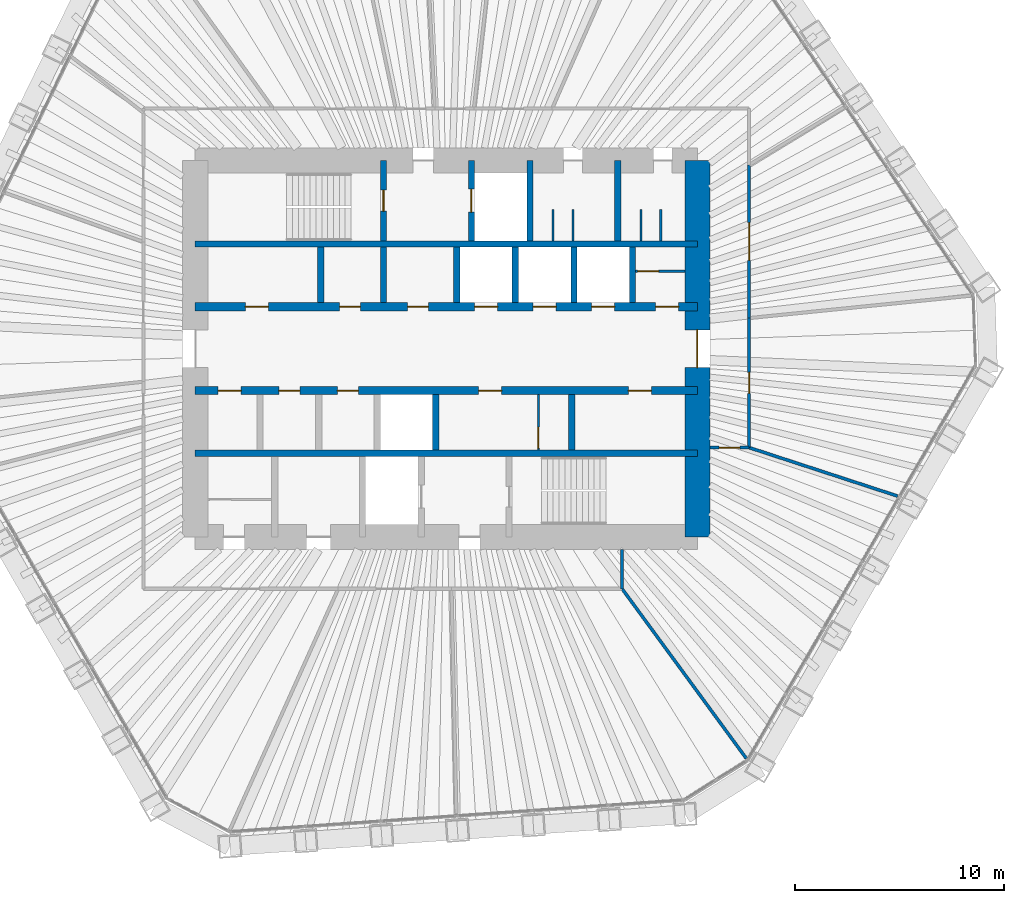
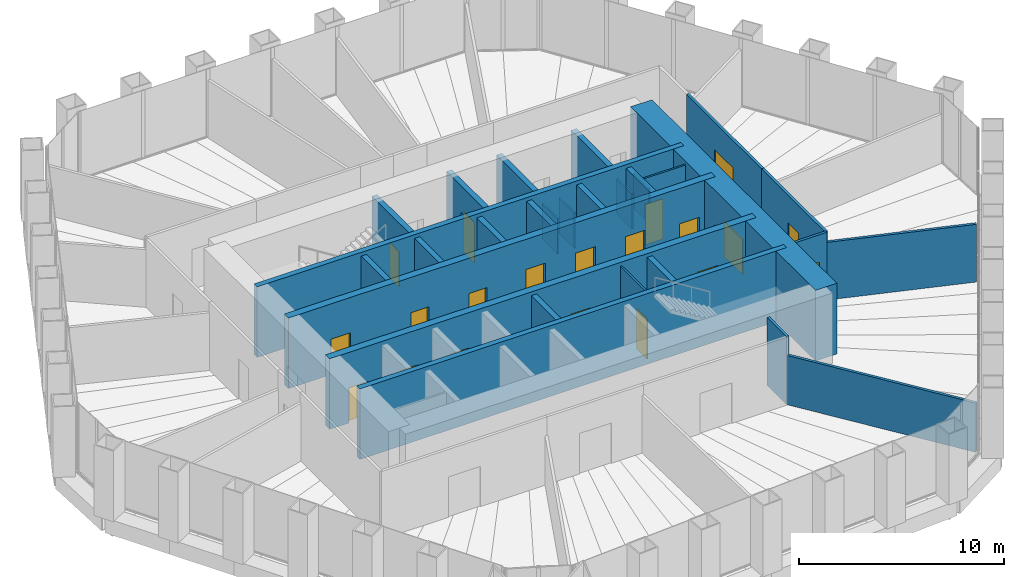
# One storey, part 11 of 14: 29 walls, 20 doors, 20 openings.
"""IFC4 building model written with IfcOpenShell, lengths in metres."""

from ifc_helpers import new_model, si_unit, direction, frame, frame_2d, origin, place, context, subcontext, project, spatial, rectangle, extrude, material, layer, layer_set, type_object, element, fill, save


model = new_model("IFC4")

# Units and contexts
model_context = context("Model", 3, precision=1e-05, world=origin(), true_north=direction((0.0, 1.0)))
body_context = subcontext(model_context, "Body", "Model", "MODEL_VIEW")
ifc_project = project(units=[si_unit("LENGTHUNIT", "METRE"), si_unit("AREAUNIT", "SQUARE_METRE"), si_unit("VOLUMEUNIT", "CUBIC_METRE"), si_unit("PLANEANGLEUNIT", "RADIAN"), si_unit("MASSUNIT", "GRAM", prefix="KILO")], contexts=[model_context])

# Site, building, storey
site_placement = place(None, origin())
site = spatial("IfcSite", under=ifc_project, at=site_placement, CompositionType="ELEMENT")
building_placement = place(site_placement, origin())
building = spatial("IfcBuilding", under=site, at=building_placement, Name="Qingtian Harvest Tower", CompositionType="ELEMENT")
storey_placement = place(building_placement, frame((0.0, 0.0, 197.199951171875)))
storey = spatial("IfcBuildingStorey", under=building, at=storey_placement, Name="L42", CompositionType="ELEMENT", Elevation=197.199951171875)

# Walls
ifc_material_1 = material(Name="Concrete fc' 70 MPa", Category="concrete")
ifc_layer_1 = layer(ifc_material_1, 0.300048828125)
ifc_layer_set_1 = layer_set([ifc_layer_1], Name="Core inner wall RC5 300")
wall_type_1 = type_object("IfcWallType", Name="Core inner wall RC5 300", PredefinedType="SHEAR", material=ifc_layer_set_1)
for number, where, z_axis, x_axis, name in (
    (1, (-12.0, 5.0, 0.0), (0.0, 0.0, 1.0), (1.0, 0.0, 0.0), "Core wall IN5 L42"),
    (2, (-12.0, -5.0, 0.0), (0.0, 0.0, 1.0), (1.0, 0.0, 0.0), "Core wall IS5 L42"),
):
    element("IfcWall", number, at=place(storey_placement, frame(where, z_axis=z_axis, x_axis=x_axis)), inside=storey, type_object=wall_type_1, Name=name, PredefinedType="SHEAR", context=body_context, shape_type="SweptSolid", body=[
        extrude(rectangle(XDim=24.0, YDim=0.300048828125, at=frame_2d((12.0, 0.0))), origin(), (0.0, 0.0, 1.0), 4.199951171875),
    ])

# Wall, openings, doors
ifc_material_2 = material(Name="Concrete fc' 70 MPa", Category="concrete")
ifc_layer_2 = layer(ifc_material_2, 0.39990234375)
ifc_layer_set_2 = layer_set([ifc_layer_2], Name="Core inner web RC6 400")
wall_type_2 = type_object("IfcWallType", Name="Core inner web RC6 400", PredefinedType="SHEAR", material=ifc_layer_set_2)
wall_1_placement = place(storey_placement, frame((-12.0, 2.0, 0.0), z_axis=(0.0, 0.0, 1.0), x_axis=(1.0, 0.0, 0.0)))
wall_1 = element("IfcWall", 3, at=wall_1_placement, inside=storey, type_object=wall_type_2, Name="Core wall IN2 L42", PredefinedType="SHEAR", context=body_context, shape_type="SweptSolid", body=[
    extrude(rectangle(XDim=24.0, YDim=0.39990234375, at=frame_2d((12.0, 0.0))), origin(), (0.0, 0.0, 1.0), 4.199951171875),
])
opening_1_placement = place(wall_1_placement, frame((2.39990234375, 0.0, 0.0)))
opening_1 = element("IfcOpeningElement", 4, at=opening_1_placement, cuts=wall_1, Name="Opening FD4", PredefinedType="OPENING", context=body_context, shape_type="SweptSolid", body=[
    extrude(rectangle(XDim=1.10009765625, YDim=2.10009765625, at=frame_2d((0.550048828125, 1.050048828125))), frame((0.0, 0.2099609375, 0.0), z_axis=(0.0, -1.0, 0.0), x_axis=(1.0, 0.0, 0.0)), (0.0, 0.0, 1.0), 0.419921875),
])
opening_2_placement = place(wall_1_placement, frame((22.0, 0.0, 0.0)))
opening_2 = element("IfcOpeningElement", 5, at=opening_2_placement, cuts=wall_1, Name="Opening FD4", PredefinedType="OPENING", context=body_context, shape_type="SweptSolid", body=[
    extrude(rectangle(XDim=1.10009765625, YDim=2.10009765625, at=frame_2d((0.550048828125, 1.050048828125))), frame((0.0, 0.2099609375, 0.0), z_axis=(0.0, -1.0, 0.0), x_axis=(1.0, 0.0, 0.0)), (0.0, 0.0, 1.0), 0.419921875),
])
opening_3_placement = place(wall_1_placement, frame((10.14990234375, 0.0, 0.0)))
opening_3 = element("IfcOpeningElement", 6, at=opening_3_placement, cuts=wall_1, Name="Opening FD1", PredefinedType="OPENING", context=body_context, shape_type="SweptSolid", body=[
    extrude(rectangle(XDim=1.0, YDim=2.10009765625, at=frame_2d((0.5, 1.050048828125))), frame((0.0, 0.2099609375, 0.0), z_axis=(0.0, -1.0, 0.0), x_axis=(1.0, 0.0, 0.0)), (0.0, 0.0, 1.0), 0.419921875),
])
opening_4_placement = place(wall_1_placement, frame((6.89990234375, 0.0, 0.0)))
opening_4 = element("IfcOpeningElement", 7, at=opening_4_placement, cuts=wall_1, Name="Opening FD1", PredefinedType="OPENING", context=body_context, shape_type="SweptSolid", body=[
    extrude(rectangle(XDim=1.0, YDim=2.10009765625, at=frame_2d((0.5, 1.050048828125))), frame((0.0, 0.2099609375, 0.0), z_axis=(0.0, -1.0, 0.0), x_axis=(1.0, 0.0, 0.0)), (0.0, 0.0, 1.0), 0.419921875),
])
opening_5_placement = place(wall_1_placement, frame((13.35009765625, 0.0, 0.0)))
opening_5 = element("IfcOpeningElement", 8, at=opening_5_placement, cuts=wall_1, Name="Opening LD1", PredefinedType="OPENING", context=body_context, shape_type="SweptSolid", body=[
    extrude(rectangle(XDim=1.10009765625, YDim=2.39990234375, at=frame_2d((0.550048828125, 1.199951171875))), frame((0.0, 0.2099609375, 0.0), z_axis=(0.0, -1.0, 0.0), x_axis=(1.0, 0.0, 0.0)), (0.0, 0.0, 1.0), 0.419921875),
])
opening_6_placement = place(wall_1_placement, frame((16.14990234375, 0.0, 0.0)))
opening_6 = element("IfcOpeningElement", 9, at=opening_6_placement, cuts=wall_1, Name="Opening LD1", PredefinedType="OPENING", context=body_context, shape_type="SweptSolid", body=[
    extrude(rectangle(XDim=1.10009765625, YDim=2.39990234375, at=frame_2d((0.550048828125, 1.199951171875))), frame((0.0, 0.2099609375, 0.0), z_axis=(0.0, -1.0, 0.0), x_axis=(1.0, 0.0, 0.0)), (0.0, 0.0, 1.0), 0.419921875),
])
opening_7_placement = place(wall_1_placement, frame((18.949951171875, 0.0, 0.0)))
opening_7 = element("IfcOpeningElement", 10, at=opening_7_placement, cuts=wall_1, Name="Opening LD1", PredefinedType="OPENING", context=body_context, shape_type="SweptSolid", body=[
    extrude(rectangle(XDim=1.10009765625, YDim=2.39990234375, at=frame_2d((0.550048828125, 1.199951171875))), frame((0.0, 0.2099609375, 0.0), z_axis=(0.0, -1.0, 0.0), x_axis=(1.0, 0.0, 0.0)), (0.0, 0.0, 1.0), 0.419921875),
])
ifc_material_3 = material(Name="Steel-faced door leaf", Category="steel")
door_type_1 = type_object("IfcDoorType", Name="Fire door FD1 single 1 HR", OperationType="SINGLE_SWING_LEFT", PredefinedType="DOOR", material=ifc_material_3)
door_1_placement = place(opening_3_placement, origin())
door_1 = element("IfcDoor", 11, at=door_1_placement, inside=storey, type_object=door_type_1, Name="STA door L42", OperationType="SINGLE_SWING_LEFT", OverallHeight=2.10009765625, OverallWidth=1.0, PredefinedType="DOOR", context=body_context, shape_type="SweptSolid", body=[
    extrude(rectangle(XDim=1.0, YDim=2.10009765625, at=frame_2d((0.5, 1.050048828125))), frame((0.0, 0.02490234375, 0.0), z_axis=(0.0, -1.0, 0.0), x_axis=(1.0, 0.0, 0.0)), (0.0, 0.0, 1.0), 0.050048828125),
])
fill(opening_3, door_1)
door_2_placement = place(opening_4_placement, origin())
door_2 = element("IfcDoor", 12, at=door_2_placement, inside=storey, type_object=door_type_1, Name="Store door L42", OperationType="SINGLE_SWING_LEFT", OverallHeight=2.10009765625, OverallWidth=1.0, PredefinedType="DOOR", context=body_context, shape_type="SweptSolid", body=[
    extrude(rectangle(XDim=1.0, YDim=2.10009765625, at=frame_2d((0.5, 1.050048828125))), frame((0.0, 0.02490234375, 0.0), z_axis=(0.0, -1.0, 0.0), x_axis=(1.0, 0.0, 0.0)), (0.0, 0.0, 1.0), 0.050048828125),
])
fill(opening_4, door_2)
ifc_material_4 = material(Name="Steel-faced door leaf", Category="steel")
door_type_2 = type_object("IfcDoorType", Name="Fire door FD4 single 2 HR", OperationType="SINGLE_SWING_LEFT", PredefinedType="DOOR", material=ifc_material_4)
door_3_placement = place(opening_1_placement, origin())
door_3 = element("IfcDoor", 13, at=door_3_placement, inside=storey, type_object=door_type_2, Name="RA door L42", OperationType="SINGLE_SWING_LEFT", OverallHeight=2.10009765625, OverallWidth=1.10009765625, PredefinedType="DOOR", context=body_context, shape_type="SweptSolid", body=[
    extrude(rectangle(XDim=1.10009765625, YDim=2.10009765625, at=frame_2d((0.550048828125, 1.050048828125))), frame((0.0, 0.02490234375, 0.0), z_axis=(0.0, -1.0, 0.0), x_axis=(1.0, 0.0, 0.0)), (0.0, 0.0, 1.0), 0.050048828125),
])
fill(opening_1, door_3)
door_4_placement = place(opening_2_placement, origin())
door_4 = element("IfcDoor", 14, at=door_4_placement, inside=storey, type_object=door_type_2, Name="AHU door L42", OperationType="SINGLE_SWING_RIGHT", OverallHeight=2.10009765625, OverallWidth=1.10009765625, PredefinedType="DOOR", context=body_context, shape_type="SweptSolid", body=[
    extrude(rectangle(XDim=1.10009765625, YDim=2.10009765625, at=frame_2d((0.550048828125, 1.050048828125))), frame((0.0, 0.02490234375, 0.0), z_axis=(0.0, -1.0, 0.0), x_axis=(1.0, 0.0, 0.0)), (0.0, 0.0, 1.0), 0.050048828125),
])
fill(opening_2, door_4)
ifc_material_5 = material(Name="Stainless steel lift landing door", Category="steel")
door_type_3 = type_object("IfcDoorType", Name="Lift landing door LD1 1 HR", OperationType="DOUBLE_DOOR_SLIDING", PredefinedType="DOOR", material=ifc_material_5)
door_5_placement = place(opening_5_placement, origin())
door_5 = element("IfcDoor", 15, at=door_5_placement, inside=storey, type_object=door_type_3, Name="PLC1 landing door L42", OperationType="DOUBLE_DOOR_SLIDING", OverallHeight=2.39990234375, OverallWidth=1.10009765625, PredefinedType="DOOR", context=body_context, shape_type="SweptSolid", body=[
    extrude(rectangle(XDim=1.10009765625, YDim=2.39990234375, at=frame_2d((0.550048828125, 1.199951171875))), frame((0.0, 0.02490234375, 0.0), z_axis=(0.0, -1.0, 0.0), x_axis=(1.0, 0.0, 0.0)), (0.0, 0.0, 1.0), 0.050048828125),
])
fill(opening_5, door_5)
door_6_placement = place(opening_6_placement, origin())
door_6 = element("IfcDoor", 16, at=door_6_placement, inside=storey, type_object=door_type_3, Name="PLC2 landing door L42", OperationType="DOUBLE_DOOR_SLIDING", OverallHeight=2.39990234375, OverallWidth=1.10009765625, PredefinedType="DOOR", context=body_context, shape_type="SweptSolid", body=[
    extrude(rectangle(XDim=1.10009765625, YDim=2.39990234375, at=frame_2d((0.550048828125, 1.199951171875))), frame((0.0, 0.02490234375, 0.0), z_axis=(0.0, -1.0, 0.0), x_axis=(1.0, 0.0, 0.0)), (0.0, 0.0, 1.0), 0.050048828125),
])
fill(opening_6, door_6)
door_7_placement = place(opening_7_placement, origin())
door_7 = element("IfcDoor", 17, at=door_7_placement, inside=storey, type_object=door_type_3, Name="PLC3 landing door L42", OperationType="DOUBLE_DOOR_SLIDING", OverallHeight=2.39990234375, OverallWidth=1.10009765625, PredefinedType="DOOR", context=body_context, shape_type="SweptSolid", body=[
    extrude(rectangle(XDim=1.10009765625, YDim=2.39990234375, at=frame_2d((0.550048828125, 1.199951171875))), frame((0.0, 0.02490234375, 0.0), z_axis=(0.0, -1.0, 0.0), x_axis=(1.0, 0.0, 0.0)), (0.0, 0.0, 1.0), 0.050048828125),
])
fill(opening_7, door_7)

wall_2_placement = place(storey_placement, frame((-12.0, -2.0, 0.0), z_axis=(0.0, 0.0, 1.0), x_axis=(1.0, 0.0, 0.0)))
wall_2 = element("IfcWall", 18, at=wall_2_placement, inside=storey, type_object=wall_type_2, Name="Core wall IS2 L42", PredefinedType="SHEAR", context=body_context, shape_type="SweptSolid", body=[
    extrude(rectangle(XDim=24.0, YDim=0.39990234375, at=frame_2d((12.0, 0.0))), origin(), (0.0, 0.0, 1.0), 4.199951171875),
])
opening_8_placement = place(wall_2_placement, frame((1.10009765625, 0.0, 0.0)))
opening_8 = element("IfcOpeningElement", 19, at=opening_8_placement, cuts=wall_2, Name="Opening FD4", PredefinedType="OPENING", context=body_context, shape_type="SweptSolid", body=[
    extrude(rectangle(XDim=1.10009765625, YDim=2.10009765625, at=frame_2d((0.550048828125, 1.050048828125))), frame((0.0, 0.2099609375, 0.0), z_axis=(0.0, -1.0, 0.0), x_axis=(1.0, 0.0, 0.0)), (0.0, 0.0, 1.0), 0.419921875),
])
opening_9_placement = place(wall_2_placement, frame((13.550048828125, 0.0, 0.0)))
opening_9 = element("IfcOpeningElement", 20, at=opening_9_placement, cuts=wall_2, Name="Opening FD4", PredefinedType="OPENING", context=body_context, shape_type="SweptSolid", body=[
    extrude(rectangle(XDim=1.10009765625, YDim=2.10009765625, at=frame_2d((0.550048828125, 1.050048828125))), frame((0.0, 0.2099609375, 0.0), z_axis=(0.0, -1.0, 0.0), x_axis=(1.0, 0.0, 0.0)), (0.0, 0.0, 1.0), 0.419921875),
])
opening_10_placement = place(wall_2_placement, frame((20.699951171875, 0.0, 0.0)))
opening_10 = element("IfcOpeningElement", 21, at=opening_10_placement, cuts=wall_2, Name="Opening FD4", PredefinedType="OPENING", context=body_context, shape_type="SweptSolid", body=[
    extrude(rectangle(XDim=1.10009765625, YDim=2.10009765625, at=frame_2d((0.550048828125, 1.050048828125))), frame((0.0, 0.2099609375, 0.0), z_axis=(0.0, -1.0, 0.0), x_axis=(1.0, 0.0, 0.0)), (0.0, 0.0, 1.0), 0.419921875),
])
opening_11_placement = place(wall_2_placement, frame((4.0, 0.0, 0.0)))
opening_11 = element("IfcOpeningElement", 22, at=opening_11_placement, cuts=wall_2, Name="Opening FD1", PredefinedType="OPENING", context=body_context, shape_type="SweptSolid", body=[
    extrude(rectangle(XDim=1.0, YDim=2.10009765625, at=frame_2d((0.5, 1.050048828125))), frame((0.0, 0.2099609375, 0.0), z_axis=(0.0, -1.0, 0.0), x_axis=(1.0, 0.0, 0.0)), (0.0, 0.0, 1.0), 0.419921875),
])
opening_12_placement = place(wall_2_placement, frame((6.800048828125, 0.0, 0.0)))
opening_12 = element("IfcOpeningElement", 23, at=opening_12_placement, cuts=wall_2, Name="Opening FD1", PredefinedType="OPENING", context=body_context, shape_type="SweptSolid", body=[
    extrude(rectangle(XDim=1.0, YDim=2.10009765625, at=frame_2d((0.5, 1.050048828125))), frame((0.0, 0.2099609375, 0.0), z_axis=(0.0, -1.0, 0.0), x_axis=(1.0, 0.0, 0.0)), (0.0, 0.0, 1.0), 0.419921875),
])
door_8_placement = place(opening_11_placement, origin())
door_8 = element("IfcDoor", 24, at=door_8_placement, inside=storey, type_object=door_type_1, Name="Archive store door L42", OperationType="SINGLE_SWING_RIGHT", OverallHeight=2.10009765625, OverallWidth=1.0, PredefinedType="DOOR", context=body_context, shape_type="SweptSolid", body=[
    extrude(rectangle(XDim=1.0, YDim=2.10009765625, at=frame_2d((0.5, 1.050048828125))), frame((0.0, 0.02490234375, 0.0), z_axis=(0.0, -1.0, 0.0), x_axis=(1.0, 0.0, 0.0)), (0.0, 0.0, 1.0), 0.050048828125),
])
fill(opening_11, door_8)
door_9_placement = place(opening_12_placement, origin())
door_9 = element("IfcDoor", 25, at=door_9_placement, inside=storey, type_object=door_type_1, Name="Staff WC door L42", OperationType="SINGLE_SWING_RIGHT", OverallHeight=2.10009765625, OverallWidth=1.0, PredefinedType="DOOR", context=body_context, shape_type="SweptSolid", body=[
    extrude(rectangle(XDim=1.0, YDim=2.10009765625, at=frame_2d((0.5, 1.050048828125))), frame((0.0, 0.02490234375, 0.0), z_axis=(0.0, -1.0, 0.0), x_axis=(1.0, 0.0, 0.0)), (0.0, 0.0, 1.0), 0.050048828125),
])
fill(opening_12, door_9)
door_10_placement = place(opening_8_placement, origin())
door_10 = element("IfcDoor", 26, at=door_10_placement, inside=storey, type_object=door_type_2, Name="RB door L42", OperationType="SINGLE_SWING_RIGHT", OverallHeight=2.10009765625, OverallWidth=1.10009765625, PredefinedType="DOOR", context=body_context, shape_type="SweptSolid", body=[
    extrude(rectangle(XDim=1.10009765625, YDim=2.10009765625, at=frame_2d((0.550048828125, 1.050048828125))), frame((0.0, 0.02490234375, 0.0), z_axis=(0.0, -1.0, 0.0), x_axis=(1.0, 0.0, 0.0)), (0.0, 0.0, 1.0), 0.050048828125),
])
fill(opening_8, door_10)
door_11_placement = place(opening_9_placement, origin())
door_11 = element("IfcDoor", 27, at=door_11_placement, inside=storey, type_object=door_type_2, Name="ELEC door L42", OperationType="SINGLE_SWING_LEFT", OverallHeight=2.10009765625, OverallWidth=1.10009765625, PredefinedType="DOOR", context=body_context, shape_type="SweptSolid", body=[
    extrude(rectangle(XDim=1.10009765625, YDim=2.10009765625, at=frame_2d((0.550048828125, 1.050048828125))), frame((0.0, 0.02490234375, 0.0), z_axis=(0.0, -1.0, 0.0), x_axis=(1.0, 0.0, 0.0)), (0.0, 0.0, 1.0), 0.050048828125),
])
fill(opening_9, door_11)
door_12_placement = place(opening_10_placement, origin())
door_12 = element("IfcDoor", 28, at=door_12_placement, inside=storey, type_object=door_type_2, Name="DUCT door L42", OperationType="SINGLE_SWING_LEFT", OverallHeight=2.10009765625, OverallWidth=1.10009765625, PredefinedType="DOOR", context=body_context, shape_type="SweptSolid", body=[
    extrude(rectangle(XDim=1.10009765625, YDim=2.10009765625, at=frame_2d((0.550048828125, 1.050048828125))), frame((0.0, 0.02490234375, 0.0), z_axis=(0.0, -1.0, 0.0), x_axis=(1.0, 0.0, 0.0)), (0.0, 0.0, 1.0), 0.050048828125),
])
fill(opening_10, door_12)

# Wall, opening, door
ifc_material_6 = material(Name="Precast concrete shaft panel", Category="concrete")
ifc_layer_3 = layer(ifc_material_6, 0.300048828125)
ifc_layer_set_3 = layer_set([ifc_layer_3], Name="Core shaft partition SW1 300")
wall_type_3 = type_object("IfcWallType", Name="Core shaft partition SW1 300", PredefinedType="PARTITIONING", material=ifc_layer_set_3)
wall_3_placement = place(storey_placement, frame((-3.0, 5.14990234375, 0.0), z_axis=(0.0, 0.0, 1.0), x_axis=(0.0, 1.0, 0.0)))
wall_3 = element("IfcWall", 29, at=wall_3_placement, inside=storey, type_object=wall_type_3, Name="Core shaft partition XN1 L42", PredefinedType="PARTITIONING", context=body_context, shape_type="SweptSolid", body=[
    extrude(rectangle(XDim=3.85009765625, YDim=0.300048828125, at=frame_2d((1.925048828125, 0.0))), origin(), (0.0, 0.0, 1.0), 3.97998046875),
])
opening_13_placement = place(wall_3_placement, frame((1.425048828125, 0.0, 0.0)))
opening_13 = element("IfcOpeningElement", 30, at=opening_13_placement, cuts=wall_3, Name="Opening FD1", PredefinedType="OPENING", context=body_context, shape_type="SweptSolid", body=[
    extrude(rectangle(XDim=1.0, YDim=2.10009765625, at=frame_2d((0.5, 1.050048828125))), frame((0.0, 0.159912109375, 0.0), z_axis=(0.0, -1.0, 0.0), x_axis=(1.0, 0.0, 0.0)), (0.0, 0.0, 1.0), 0.320068359375),
])
door_13_placement = place(opening_13_placement, origin())
door_13 = element("IfcDoor", 31, at=door_13_placement, inside=storey, type_object=door_type_1, Name="S1 door L42", OperationType="SINGLE_SWING_LEFT", OverallHeight=2.10009765625, OverallWidth=1.0, PredefinedType="DOOR", context=body_context, shape_type="SweptSolid", body=[
    extrude(rectangle(XDim=1.0, YDim=2.10009765625, at=frame_2d((0.5, 1.050048828125))), frame((0.0, 0.02490234375, 0.0), z_axis=(0.0, -1.0, 0.0), x_axis=(1.0, 0.0, 0.0)), (0.0, 0.0, 1.0), 0.050048828125),
])
fill(opening_13, door_13)

wall_4_placement = place(storey_placement, frame((1.199951171875, 5.14990234375, 0.0), z_axis=(0.0, 0.0, 1.0), x_axis=(0.0, 1.0, 0.0)))
wall_4 = element("IfcWall", 32, at=wall_4_placement, inside=storey, type_object=wall_type_3, Name="Core shaft partition XN2 L42", PredefinedType="PARTITIONING", context=body_context, shape_type="SweptSolid", body=[
    extrude(rectangle(XDim=3.85009765625, YDim=0.300048828125, at=frame_2d((1.925048828125, 0.0))), origin(), (0.0, 0.0, 1.0), 3.97998046875),
])
opening_14_placement = place(wall_4_placement, frame((1.375, 0.0, 0.0)))
opening_14 = element("IfcOpeningElement", 33, at=opening_14_placement, cuts=wall_4, Name="Opening LD1", PredefinedType="OPENING", context=body_context, shape_type="SweptSolid", body=[
    extrude(rectangle(XDim=1.10009765625, YDim=2.39990234375, at=frame_2d((0.550048828125, 1.199951171875))), frame((0.0, 0.159912109375, 0.0), z_axis=(0.0, -1.0, 0.0), x_axis=(1.0, 0.0, 0.0)), (0.0, 0.0, 1.0), 0.320068359375),
])
door_14_placement = place(opening_14_placement, origin())
door_14 = element("IfcDoor", 34, at=door_14_placement, inside=storey, type_object=door_type_3, Name="FL1 landing door L42", OperationType="DOUBLE_DOOR_SLIDING", OverallHeight=2.39990234375, OverallWidth=1.10009765625, PredefinedType="DOOR", context=body_context, shape_type="SweptSolid", body=[
    extrude(rectangle(XDim=1.10009765625, YDim=2.39990234375, at=frame_2d((0.550048828125, 1.199951171875))), frame((0.0, 0.02490234375, 0.0), z_axis=(0.0, -1.0, 0.0), x_axis=(1.0, 0.0, 0.0)), (0.0, 0.0, 1.0), 0.050048828125),
])
fill(opening_14, door_14)

# Walls
for number, where, z_axis, x_axis, name in (
    (35, (4.0, 5.14990234375, 0.0), (0.0, 0.0, 1.0), (0.0, 1.0, 0.0), "Core shaft partition XN3 L42"),
    (36, (8.199951171875, 5.14990234375, 0.0), (0.0, 0.0, 1.0), (0.0, 1.0, 0.0), "Core shaft partition XN4 L42"),
):
    element("IfcWall", number, at=place(storey_placement, frame(where, z_axis=z_axis, x_axis=x_axis)), inside=storey, type_object=wall_type_3, Name=name, PredefinedType="PARTITIONING", context=body_context, shape_type="SweptSolid", body=[
        extrude(rectangle(XDim=3.85009765625, YDim=0.300048828125, at=frame_2d((1.925048828125, 0.0))), origin(), (0.0, 0.0, 1.0), 3.97998046875),
    ])
for number, where, z_axis, x_axis, name in (
    (37, (-6.0, 2.199951171875, 0.0), (0.0, 0.0, 1.0), (0.0, 1.0, 0.0), "Core shaft partition XA1 L42"),
    (38, (-3.0, 2.199951171875, 0.0), (0.0, 0.0, 1.0), (0.0, 1.0, 0.0), "Core shaft partition XA2 L42"),
    (39, (0.5, 2.199951171875, 0.0), (0.0, 0.0, 1.0), (0.0, 1.0, 0.0), "Core shaft partition XA3 L42"),
    (40, (3.300048828125, 2.199951171875, 0.0), (0.0, 0.0, 1.0), (0.0, 1.0, 0.0), "Core shaft partition XA4 L42"),
    (41, (6.10009765625, 2.199951171875, 0.0), (0.0, 0.0, 1.0), (0.0, 1.0, 0.0), "Core shaft partition XA5 L42"),
    (42, (8.89990234375, 2.199951171875, 0.0), (0.0, 0.0, 1.0), (0.0, 1.0, 0.0), "Core shaft partition XA6 L42"),
    (43, (-0.5, -4.85009765625, 0.0), (0.0, 0.0, 1.0), (0.0, 1.0, 0.0), "Core shaft partition XB4 L42"),
    (44, (6.0, -4.85009765625, 0.0), (0.0, 0.0, 1.0), (0.0, 1.0, 0.0), "Core shaft partition XB5 L42"),
):
    element("IfcWall", number, at=place(storey_placement, frame(where, z_axis=z_axis, x_axis=x_axis)), inside=storey, type_object=wall_type_3, Name=name, PredefinedType="PARTITIONING", context=body_context, shape_type="SweptSolid", body=[
        extrude(rectangle(XDim=2.650146484375, YDim=0.300048828125, at=frame_2d((1.3251953125, 0.0))), origin(), (0.0, 0.0, 1.0), 3.97998046875),
    ])

# Wall, opening, door
ifc_material_7 = material(Name="Concrete fc' 70 MPa", Category="concrete")
ifc_layer_4 = layer(ifc_material_7, 1.199951171875)
ifc_layer_set_4 = layer_set([ifc_layer_4], Name="Core wall RC2 1200")
wall_type_4 = type_object("IfcWallType", Name="Core wall RC2 1200", PredefinedType="SHEAR", material=ifc_layer_set_4)
wall_5_placement = place(storey_placement, frame((12.0, -9.0, 0.0), z_axis=(0.0, 0.0, 1.0), x_axis=(0.0, 1.0, 0.0)))
wall_5 = element("IfcWall", 45, at=wall_5_placement, inside=storey, type_object=wall_type_4, Name="Core wall CE L42", PredefinedType="SHEAR", context=body_context, shape_type="SweptSolid", body=[
    extrude(rectangle(XDim=18.0, YDim=1.199951171875, at=frame_2d((9.0, 0.0))), origin(), (0.0, 0.0, 1.0), 4.199951171875),
])
opening_15_placement = place(wall_5_placement, frame((8.10009765625, 0.0, 0.0)))
opening_15 = element("IfcOpeningElement", 46, at=opening_15_placement, cuts=wall_5, Name="Opening FD2", PredefinedType="OPENING", context=body_context, shape_type="SweptSolid", body=[
    extrude(rectangle(XDim=1.800048828125, YDim=2.10009765625, at=frame_2d((0.89990234375, 1.050048828125))), frame((0.0, 0.60986328125, 0.0), z_axis=(0.0, -1.0, 0.0), x_axis=(1.0, 0.0, 0.0)), (0.0, 0.0, 1.0), 1.219970703125),
])
ifc_material_8 = material(Name="Steel-faced door leaf", Category="steel")
door_type_4 = type_object("IfcDoorType", Name="Fire door FD2 double 1 HR", OperationType="DOUBLE_DOOR_DOUBLE_SWING", PredefinedType="DOOR", material=ifc_material_8)
door_15_placement = place(opening_15_placement, origin())
door_15 = element("IfcDoor", 47, at=door_15_placement, inside=storey, type_object=door_type_4, Name="LOBBY-E door L42", OperationType="DOUBLE_DOOR_DOUBLE_SWING", OverallHeight=2.10009765625, OverallWidth=1.800048828125, PredefinedType="DOOR", context=body_context, shape_type="SweptSolid", body=[
    extrude(rectangle(XDim=1.800048828125, YDim=2.10009765625, at=frame_2d((0.89990234375, 1.050048828125))), frame((0.0, 0.02490234375, 0.0), z_axis=(0.0, -1.0, 0.0), x_axis=(1.0, 0.0, 0.0)), (0.0, 0.0, 1.0), 0.050048828125),
])
fill(opening_15, door_15)

ifc_material_9 = material(Name="Gypsum board on steel studs", Category="steel")
ifc_layer_5 = layer(ifc_material_9, 0.14990234375)
ifc_layer_set_5 = layer_set([ifc_layer_5], Name="Partition PT1 150")
wall_type_5 = type_object("IfcWallType", Name="Partition PT1 150", PredefinedType="PARTITIONING", material=ifc_layer_set_5)
wall_6_placement = place(storey_placement, frame((14.47509765625, 8.783447265625, 0.0), z_axis=(0.0, 0.0, 1.0), x_axis=(0.0, -1.0, 0.0)))
wall_6 = element("IfcWall", 48, at=wall_6_placement, inside=storey, type_object=wall_type_5, Name="Office suite wall L42", PredefinedType="PARTITIONING", context=body_context, shape_type="SweptSolid", body=[
    extrude(rectangle(XDim=7.32080078125, YDim=0.14990234375, at=frame_2d((3.660400390625, 0.0))), origin(), (0.0, 0.0, 1.0), 4.030029296875),
])
opening_16_placement = place(wall_6_placement, frame((2.76025390625, 0.0, 0.0)))
opening_16 = element("IfcOpeningElement", 49, at=opening_16_placement, cuts=wall_6, Name="Opening D3", PredefinedType="OPENING", context=body_context, shape_type="SweptSolid", body=[
    extrude(rectangle(XDim=1.800048828125, YDim=2.39990234375, at=frame_2d((0.89990234375, 1.199951171875))), frame((0.0, 0.0849609375, 0.0), z_axis=(0.0, -1.0, 0.0), x_axis=(1.0, 0.0, 0.0)), (0.0, 0.0, 1.0), 0.169921875),
])
ifc_material_10 = material(Name="Laminated timber door leaf", Category="wood")
door_type_5 = type_object("IfcDoorType", Name="Room door D3 double", OperationType="DOUBLE_DOOR_DOUBLE_SWING", PredefinedType="DOOR", material=ifc_material_10)
door_16_placement = place(opening_16_placement, origin())
door_16 = element("IfcDoor", 50, at=door_16_placement, inside=storey, type_object=door_type_5, Name="Office suite door L42", OperationType="DOUBLE_DOOR_DOUBLE_SWING", OverallHeight=2.39990234375, OverallWidth=1.800048828125, PredefinedType="DOOR", context=body_context, shape_type="SweptSolid", body=[
    extrude(rectangle(XDim=1.800048828125, YDim=2.39990234375, at=frame_2d((0.89990234375, 1.199951171875))), frame((0.0, 0.02490234375, 0.0), z_axis=(0.0, -1.0, 0.0), x_axis=(1.0, 0.0, 0.0)), (0.0, 0.0, 1.0), 0.050048828125),
])
fill(opening_16, door_16)

wall_7_placement = place(storey_placement, frame((14.47509765625, 1.462646484375, 0.0), z_axis=(0.0, 0.0, 1.0), x_axis=(0.0, -1.0, 0.0)))
wall_7 = element("IfcWall", 51, at=wall_7_placement, inside=storey, type_object=wall_type_5, Name="Meeting room wall L42", PredefinedType="PARTITIONING", context=body_context, shape_type="SweptSolid", body=[
    extrude(rectangle(XDim=6.18994140625, YDim=0.14990234375, at=frame_2d((3.094970703125, 0.0))), origin(), (0.0, 0.0, 1.0), 4.030029296875),
])
opening_17_placement = place(wall_7_placement, frame((2.594970703125, 0.0, 0.0)))
opening_17 = element("IfcOpeningElement", 52, at=opening_17_placement, cuts=wall_7, Name="Opening D2", PredefinedType="OPENING", context=body_context, shape_type="SweptSolid", body=[
    extrude(rectangle(XDim=1.0, YDim=2.39990234375, at=frame_2d((0.5, 1.199951171875))), frame((0.0, 0.0849609375, 0.0), z_axis=(0.0, -1.0, 0.0), x_axis=(1.0, 0.0, 0.0)), (0.0, 0.0, 1.0), 0.169921875),
])
ifc_material_11 = material(Name="Laminated timber door leaf", Category="wood")
door_type_6 = type_object("IfcDoorType", Name="Room door D2 single", OperationType="SINGLE_SWING_LEFT", PredefinedType="DOOR", material=ifc_material_11)
door_17_placement = place(opening_17_placement, origin())
door_17 = element("IfcDoor", 53, at=door_17_placement, inside=storey, type_object=door_type_6, Name="Meeting room door L42", OperationType="SINGLE_SWING_RIGHT", OverallHeight=2.39990234375, OverallWidth=1.0, PredefinedType="DOOR", context=body_context, shape_type="SweptSolid", body=[
    extrude(rectangle(XDim=1.0, YDim=2.39990234375, at=frame_2d((0.5, 1.199951171875))), frame((0.0, 0.02490234375, 0.0), z_axis=(0.0, -1.0, 0.0), x_axis=(1.0, 0.0, 0.0)), (0.0, 0.0, 1.0), 0.050048828125),
])
fill(opening_17, door_17)

# Wall
wall_8_placement = place(storey_placement, frame((21.56982421875, -7.04443359375, 0.0), z_axis=(0.0, 0.0, 1.0), x_axis=(-0.950585953502, 0.310461503258, 0.0)))
element("IfcWall", 54, at=wall_8_placement, inside=storey, type_object=wall_type_5, Name="Office suite wall L42", PredefinedType="PARTITIONING", context=body_context, shape_type="SweptSolid", body=[
    extrude(rectangle(XDim=7.463623046875, YDim=0.14990234375, at=frame_2d((3.73193359375, 0.0))), origin(), (0.0, 0.0, 1.0), 3.429931640625),
])

# Wall, opening, door
wall_9_placement = place(storey_placement, frame((14.47509765625, -4.727294921875, 0.0), z_axis=(0.0, 0.0, 1.0), x_axis=(-1.0, 0.0, 0.0)))
wall_9 = element("IfcWall", 55, at=wall_9_placement, inside=storey, type_object=wall_type_5, Name="Office suite wall L42", PredefinedType="PARTITIONING", context=body_context, shape_type="SweptSolid", body=[
    extrude(rectangle(XDim=1.875, YDim=0.14990234375, at=frame_2d((0.9375, 0.0))), origin(), (0.0, 0.0, 1.0), 4.030029296875),
])
opening_18_placement = place(wall_9_placement, frame((0.4375, 0.0, 0.0)))
opening_18 = element("IfcOpeningElement", 56, at=opening_18_placement, cuts=wall_9, Name="Opening D2", PredefinedType="OPENING", context=body_context, shape_type="SweptSolid", body=[
    extrude(rectangle(XDim=1.0, YDim=2.39990234375, at=frame_2d((0.5, 1.199951171875))), frame((0.0, 0.0849609375, 0.0), z_axis=(0.0, -1.0, 0.0), x_axis=(1.0, 0.0, 0.0)), (0.0, 0.0, 1.0), 0.169921875),
])
door_18_placement = place(opening_18_placement, origin())
door_18 = element("IfcDoor", 57, at=door_18_placement, inside=storey, type_object=door_type_6, Name="Office suite door L42", OperationType="SINGLE_SWING_RIGHT", OverallHeight=2.39990234375, OverallWidth=1.0, PredefinedType="DOOR", context=body_context, shape_type="SweptSolid", body=[
    extrude(rectangle(XDim=1.0, YDim=2.39990234375, at=frame_2d((0.5, 1.199951171875))), frame((0.0, 0.02490234375, 0.0), z_axis=(0.0, -1.0, 0.0), x_axis=(1.0, 0.0, 0.0)), (0.0, 0.0, 1.0), 0.050048828125),
])
fill(opening_18, door_18)

# Walls
wall_10_placement = place(storey_placement, frame((8.402587890625, -9.60009765625, 0.0), z_axis=(0.0, 0.0, 1.0), x_axis=(0.0, -1.0, 0.0)))
element("IfcWall", 58, at=wall_10_placement, inside=storey, type_object=wall_type_5, Name="Office suite wall L42", PredefinedType="PARTITIONING", context=body_context, shape_type="SweptSolid", body=[
    extrude(rectangle(XDim=1.875, YDim=0.14990234375, at=frame_2d((0.9375, 0.0))), origin(), (0.0, 0.0, 1.0), 4.030029296875),
])
wall_11_placement = place(storey_placement, frame((14.338623046875, -19.581787109375, 0.0), z_axis=(0.0, 0.0, 1.0), x_axis=(-0.590789413226, 0.806825798559, 0.0)))
element("IfcWall", 59, at=wall_11_placement, inside=storey, type_object=wall_type_5, Name="Meeting room wall L42", PredefinedType="PARTITIONING", context=body_context, shape_type="SweptSolid", body=[
    extrude(rectangle(XDim=10.047607421875, YDim=0.14990234375, at=frame_2d((5.02392578125, 0.0))), origin(), (0.0, 0.0, 1.0), 2.929931640625),
])

# Wall, opening, door
ifc_material_12 = material(Name="Concrete block partition", Category="concrete")
ifc_layer_6 = layer(ifc_material_12, 0.10009765625)
ifc_layer_set_6 = layer_set([ifc_layer_6], Name="Store partition PT3 100")
wall_type_6 = type_object("IfcWallType", Name="Store partition PT3 100", PredefinedType="PARTITIONING", material=ifc_layer_set_6)
wall_12_placement = place(storey_placement, frame((4.39990234375, -4.85009765625, 0.0), z_axis=(0.0, 0.0, 1.0), x_axis=(0.0, 1.0, 0.0)))
wall_12 = element("IfcWall", 60, at=wall_12_placement, inside=storey, type_object=wall_type_6, Name="Comms room wall L42", PredefinedType="PARTITIONING", context=body_context, shape_type="SweptSolid", body=[
    extrude(rectangle(XDim=2.650146484375, YDim=0.10009765625, at=frame_2d((1.3251953125, 0.0))), origin(), (0.0, 0.0, 1.0), 3.97998046875),
])
opening_19_placement = place(wall_12_placement, frame((0.10009765625, 0.0, 0.0)))
opening_19 = element("IfcOpeningElement", 61, at=opening_19_placement, cuts=wall_12, Name="Opening D2", PredefinedType="OPENING", context=body_context, shape_type="SweptSolid", body=[
    extrude(rectangle(XDim=1.0, YDim=2.39990234375, at=frame_2d((0.5, 1.199951171875))), frame((0.0, 0.06005859375, 0.0), z_axis=(0.0, -1.0, 0.0), x_axis=(1.0, 0.0, 0.0)), (0.0, 0.0, 1.0), 0.1201171875),
])
door_19_placement = place(opening_19_placement, origin())
door_19 = element("IfcDoor", 62, at=door_19_placement, inside=storey, type_object=door_type_6, Name="Comms room door L42", OperationType="SINGLE_SWING_RIGHT", OverallHeight=2.39990234375, OverallWidth=1.0, PredefinedType="DOOR", context=body_context, shape_type="SweptSolid", body=[
    extrude(rectangle(XDim=1.0, YDim=2.39990234375, at=frame_2d((0.5, 1.199951171875))), frame((0.0, 0.02490234375, 0.0), z_axis=(0.0, -1.0, 0.0), x_axis=(1.0, 0.0, 0.0)), (0.0, 0.0, 1.0), 0.050048828125),
])
fill(opening_19, door_19)

wall_13_placement = place(storey_placement, frame((9.050048828125, 3.699951171875, 0.0), z_axis=(0.0, 0.0, 1.0), x_axis=(1.0, 0.0, 0.0)))
wall_13 = element("IfcWall", 63, at=wall_13_placement, inside=storey, type_object=wall_type_6, Name="Filter plant room wall L42", PredefinedType="PARTITIONING", context=body_context, shape_type="SweptSolid", body=[
    extrude(rectangle(XDim=2.349853515625, YDim=0.10009765625, at=frame_2d((1.1748046875, 0.0))), origin(), (0.0, 0.0, 1.0), 3.97998046875),
])
opening_20_placement = place(wall_13_placement, frame((0.10009765625, 0.0, 0.0)))
opening_20 = element("IfcOpeningElement", 64, at=opening_20_placement, cuts=wall_13, Name="Opening D2", PredefinedType="OPENING", context=body_context, shape_type="SweptSolid", body=[
    extrude(rectangle(XDim=1.0, YDim=2.39990234375, at=frame_2d((0.5, 1.199951171875))), frame((0.0, 0.06005859375, 0.0), z_axis=(0.0, -1.0, 0.0), x_axis=(1.0, 0.0, 0.0)), (0.0, 0.0, 1.0), 0.1201171875),
])
door_20_placement = place(opening_20_placement, origin())
door_20 = element("IfcDoor", 65, at=door_20_placement, inside=storey, type_object=door_type_6, Name="Filter plant room door L42", OperationType="SINGLE_SWING_RIGHT", OverallHeight=2.39990234375, OverallWidth=1.0, PredefinedType="DOOR", context=body_context, shape_type="SweptSolid", body=[
    extrude(rectangle(XDim=1.0, YDim=2.39990234375, at=frame_2d((0.5, 1.199951171875))), frame((0.0, 0.02490234375, 0.0), z_axis=(0.0, -1.0, 0.0), x_axis=(1.0, 0.0, 0.0)), (0.0, 0.0, 1.0), 0.050048828125),
])
fill(opening_20, door_20)

# Walls
ifc_material_13 = material(Name="Compact laminate cubicle partition", Category="plastic")
ifc_layer_7 = layer(ifc_material_13, 0.10009765625)
ifc_layer_set_7 = layer_set([ifc_layer_7], Name="WC cubicle partition WP1 100")
wall_type_7 = type_object("IfcWallType", Name="WC cubicle partition WP1 100", PredefinedType="PARTITIONING", material=ifc_layer_set_7)
for number, where, z_axis, x_axis, name in (
    (66, (5.10009765625, 5.14990234375, 0.0), (0.0, 0.0, 1.0), (0.0, 1.0, 0.0), "WC cubicle partition WCM L42"),
    (67, (6.050048828125, 5.14990234375, 0.0), (0.0, 0.0, 1.0), (0.0, 1.0, 0.0), "WC cubicle partition WCM L42"),
    (68, (9.300048828125, 5.14990234375, 0.0), (0.0, 0.0, 1.0), (0.0, 1.0, 0.0), "WC cubicle partition WCF L42"),
    (69, (10.25, 5.14990234375, 0.0), (0.0, 0.0, 1.0), (0.0, 1.0, 0.0), "WC cubicle partition WCF L42"),
):
    element("IfcWall", number, at=place(storey_placement, frame(where, z_axis=z_axis, x_axis=x_axis)), inside=storey, type_object=wall_type_7, Name=name, PredefinedType="PARTITIONING", context=body_context, shape_type="SweptSolid", body=[
        extrude(rectangle(XDim=1.5, YDim=0.10009765625, at=frame_2d((0.75, 0.0))), origin(), (0.0, 0.0, 1.0), 2.10009765625),
    ])

save(model, "model.ifc")
